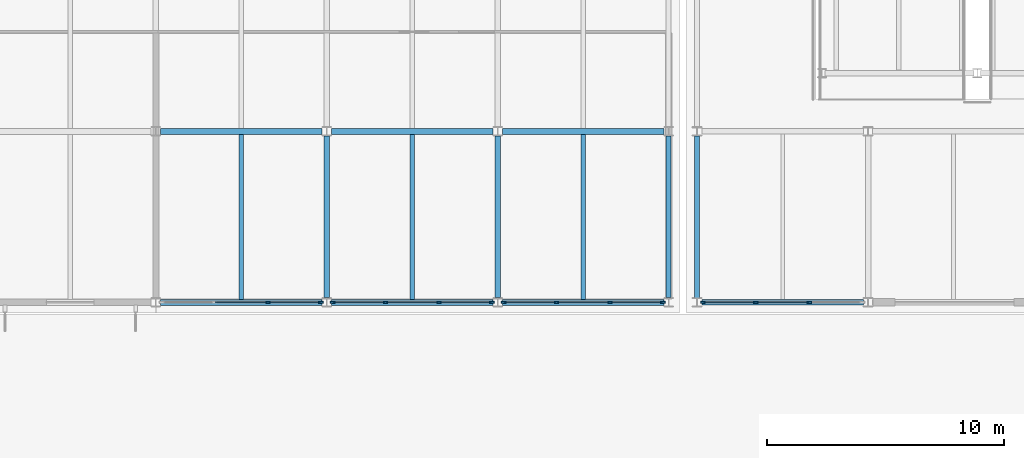
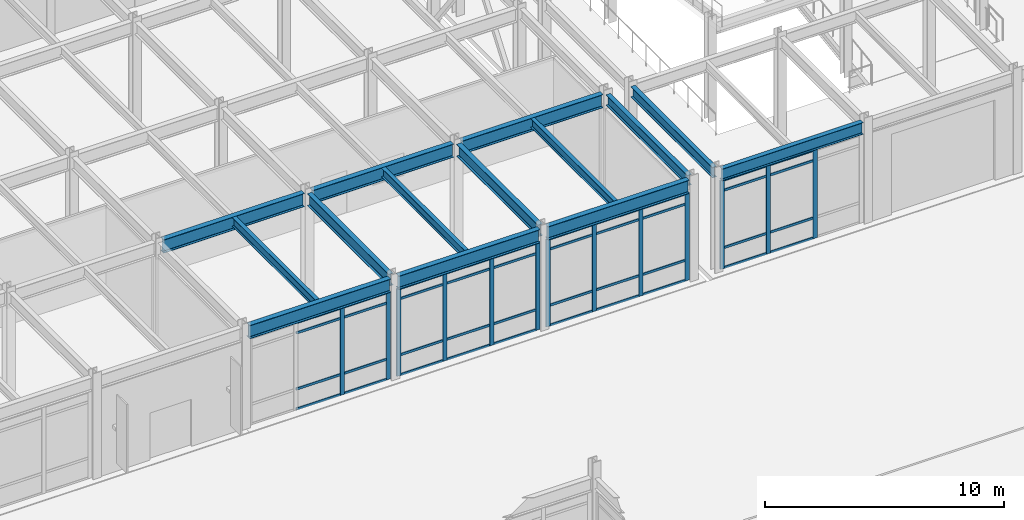
# One storey, part 35 of 104: 53 members, 14 beams, 4 elements without a shape of their own.
"""IFC4 building model written with IfcOpenShell, lengths in metres."""

import ifcopenshell
import ifcopenshell.guid

model = None  # the IFC model being written
_history = None  # IfcOwnerHistory: only IFC2X3 demands one
_inside = {}  # id of a spatial element -> (the spatial element, [elements in it])
_under = {}  # id of a project, library or spatial element -> (it, [spatial elements below it])
_declared = {}  # id of a project -> (the project, [libraries it declares])
_typed = {}  # id of a type object -> (the type object, [elements of that type])
_made_of = {}  # id of a material, layer set ... -> (it, [elements and type objects made of it])


def new_model(schema):
    """Start an empty IFC model of exactly this schema.

    Asked for "IFC4X3", IfcOpenShell would pick the latest addendum, in which some entities
    have other attributes; the version numbers below select the first issue.
    IFC2X3 requires an IfcOwnerHistory on every rooted entity: one is made here for all.
    """
    global model, _history
    if schema == "IFC4X3":
        model = ifcopenshell.file(schema_version=(4, 3, 0, 0))
    else:
        model = ifcopenshell.file(schema=schema)
    _inside.clear()
    _under.clear()
    _declared.clear()
    _typed.clear()
    _made_of.clear()
    _history = None
    if model.schema == "IFC2X3":
        org = make("IfcOrganization", Name="unknown")
        user = make(
            "IfcPersonAndOrganization",
            ThePerson=make("IfcPerson", FamilyName="unknown"),
            TheOrganization=org,
        )
        app = make(
            "IfcApplication",
            ApplicationDeveloper=org,
            Version="unknown",
            ApplicationFullName="unknown",
            ApplicationIdentifier="unknown",
        )
        _history = make(
            "IfcOwnerHistory",
            OwningUser=user,
            OwningApplication=app,
            ChangeAction="ADDED",
            CreationDate=0,
        )
    return model


def make(cls, **values):
    """One entity of the class cls with the attributes given. An attribute that is None is left unset."""
    return model.create_entity(
        cls, **{name: value for name, value in values.items() if value is not None}
    )


def rooted(cls, **values):
    """An entity with a GlobalId (a new one), such as an element, a storey or a relation."""
    return make(cls, GlobalId=ifcopenshell.guid.new(), OwnerHistory=_history, **values)


def si_unit(unit_type, name, prefix=None):
    """IfcSIUnit, for example si_unit("LENGTHUNIT", "METRE", prefix="MILLI")."""
    return make("IfcSIUnit", UnitType=unit_type, Prefix=prefix, Name=name)


def assignment(units):
    """IfcUnitAssignment: the units of a project."""
    return None if units is None else make("IfcUnitAssignment", Units=units)


def point(xyz):
    """IfcCartesianPoint."""
    return None if xyz is None else make("IfcCartesianPoint", Coordinates=xyz)


def direction(xyz):
    """IfcDirection."""
    return None if xyz is None else make("IfcDirection", DirectionRatios=xyz)


def frame(location, z_axis=None, x_axis=None):
    """IfcAxis2Placement3D, a coordinate frame: its origin and axes. An axis left out is left unset."""
    return make(
        "IfcAxis2Placement3D",
        Location=point(location),
        Axis=direction(z_axis),
        RefDirection=direction(x_axis),
    )


def frame_2d(location, x_axis=None):
    """IfcAxis2Placement2D, a coordinate frame in the plane: its origin and x axis."""
    return make(
        "IfcAxis2Placement2D", Location=point(location), RefDirection=direction(x_axis)
    )


def origin():
    """The frame at (0, 0, 0) with its axes left unset."""
    return frame((0.0, 0.0, 0.0))


def origin_2d():
    """The frame at (0, 0) in the plane with its x axis left unset."""
    return frame_2d((0.0, 0.0))


def place(relative_to, where):
    """IfcLocalPlacement: puts the frame where relative to a parent placement (None: the world)."""
    return make(
        "IfcLocalPlacement", PlacementRelTo=relative_to, RelativePlacement=where
    )


def context(
    kind, dimensions, precision=None, world=None, true_north=None, identifier=None
):
    """IfcGeometricRepresentationContext, for example the 3D "Model" context."""
    return make(
        "IfcGeometricRepresentationContext",
        ContextIdentifier=identifier,
        ContextType=kind,
        CoordinateSpaceDimension=dimensions,
        Precision=precision,
        WorldCoordinateSystem=world,
        TrueNorth=true_north,
    )


def subcontext(parent, identifier, kind, view, scale=None):
    """IfcGeometricRepresentationSubContext, for example "Body" below "Model"."""
    return make(
        "IfcGeometricRepresentationSubContext",
        ContextIdentifier=identifier,
        ContextType=kind,
        ParentContext=parent,
        TargetScale=scale,
        TargetView=view,
    )


def project(units=None, contexts=None):
    """IfcProject with its units and contexts."""
    return rooted(
        "IfcProject",
        Name="project",
        RepresentationContexts=contexts,
        UnitsInContext=assignment(units),
    )


def spatial(cls, under=None, at=None, **own):
    """A site, building, storey or space (cls), placed at a placement, below another one or the project."""
    s = rooted(cls, ObjectPlacement=at, **own)
    if under is not None:
        _under.setdefault(under.id(), (under, []))[1].append(s)
    return s


def profile(cls, at=None, kind="AREA", **sizes):
    """A parametric profile (cls). Its sizes go by their IFC names, for example OverallWidth=200.0."""
    return make(cls, ProfileType=kind, Position=at, **sizes)


def rectangle(**sizes):
    """IfcRectangleProfileDef."""
    return profile("IfcRectangleProfileDef", **sizes)


def i_section(**sizes):
    """IfcIShapeProfileDef."""
    return profile("IfcIShapeProfileDef", **sizes)


def extrude(swept, where, along, depth):
    """IfcExtrudedAreaSolid: the profile swept, set in the frame where, extruded along a direction by depth."""
    return make(
        "IfcExtrudedAreaSolid",
        SweptArea=swept,
        Position=where,
        ExtrudedDirection=direction(along),
        Depth=depth,
    )


def shape(context_of_items, identifier, shape_type, items):
    """IfcShapeRepresentation: the items that make up one representation, for example the "Body"."""
    return make(
        "IfcShapeRepresentation",
        ContextOfItems=context_of_items,
        RepresentationIdentifier=identifier,
        RepresentationType=shape_type,
        Items=items,
    )


def material(Name=None, Category=None):
    """IfcMaterial."""
    return make("IfcMaterial", Name=Name, Category=Category)


def material_profile(
    of_material, cross_section, Name=None, Category=None, Priority=None
):
    """IfcMaterialProfile: a cross section and its material."""
    return make(
        "IfcMaterialProfile",
        Name=Name,
        Material=of_material,
        Profile=cross_section,
        Priority=Priority,
        Category=Category,
    )


def profile_set(profiles, Name=None, composite=None):
    """IfcMaterialProfileSet."""
    return make(
        "IfcMaterialProfileSet",
        Name=Name,
        MaterialProfiles=profiles,
        CompositeProfile=composite,
    )


def made_of(thing, what):
    """Note that an element or type object is made of a material, layer set ...; save() writes the relation."""
    if what is not None:
        _made_of.setdefault(what.id(), (what, []))[1].append(thing)
    return thing


def type_object(cls, material=None, **own):
    """A type object (cls), such as IfcWallType, which elements share."""
    return made_of(rooted(cls, **own), material)


def element(
    cls,
    number,
    at=None,
    inside=None,
    cuts=None,
    type_object=None,
    material=None,
    context=None,
    identifier="Body",
    shape_type=None,
    held_by="IfcProductDefinitionShape",
    body=None,
    shapes=None,
    **own,
):
    """One element of the class cls, such as IfcWall. Its Tag is "e" and its number.

    at: its placement. inside: the storey or other place that contains it. cuts: it is an
    opening in that element (IfcRelVoidsElement). A single representation is given by context,
    identifier, shape_type and body (its items); several are given by shapes. held_by: the class
    of the entity that holds the representations. save() writes the other relations.
    """
    e = rooted(cls, Tag="e%d" % number, ObjectPlacement=at, **own)
    if body is not None:
        shapes = [shape(context, identifier, shape_type, body)]
    if shapes is not None:
        e.Representation = make(held_by, Representations=shapes)
    if inside is not None:
        _inside.setdefault(inside.id(), (inside, []))[1].append(e)
    if cuts is not None:
        rooted(
            "IfcRelVoidsElement", RelatingBuildingElement=cuts, RelatedOpeningElement=e
        )
    if type_object is not None:
        _typed.setdefault(type_object.id(), (type_object, []))[1].append(e)
    return made_of(e, material)


def aggregate(whole, parts):
    """IfcRelAggregates: a whole, such as a stair, and the parts it consists of."""
    return rooted("IfcRelAggregates", RelatingObject=whole, RelatedObjects=parts)


def save(model, path):
    """Write the relations noted so far, then the file.

    IfcRelAggregates (storeys below a building ...), IfcRelContainedInSpatialStructure (elements
    in a storey), IfcRelDefinesByType, IfcRelAssociatesMaterial and IfcRelDeclares: one each for
    every whole, place, type object, material and project.
    """
    for whole, parts in _under.values():
        aggregate(whole, parts)
    for where, things in _inside.values():
        rooted(
            "IfcRelContainedInSpatialStructure",
            RelatedElements=things,
            RelatingStructure=where,
        )
    for kind, things in _typed.values():
        rooted("IfcRelDefinesByType", RelatedObjects=things, RelatingType=kind)
    for what, things in _made_of.values():
        rooted("IfcRelAssociatesMaterial", RelatedObjects=things, RelatingMaterial=what)
    for by, libraries in _declared.values():
        rooted("IfcRelDeclares", RelatingContext=by, RelatedDefinitions=libraries)
    model.write(path)


model = new_model("IFC4")

# Units and contexts
model_context = context("Model", 3, precision=1e-05, world=origin(), true_north=direction((0.0, 1.0)))
body_context = subcontext(model_context, "Body", "Model", "MODEL_VIEW")
ifc_project = project(units=[si_unit("LENGTHUNIT", "METRE"), si_unit("AREAUNIT", "SQUARE_METRE"), si_unit("VOLUMEUNIT", "CUBIC_METRE"), si_unit("PLANEANGLEUNIT", "RADIAN"), si_unit("MASSUNIT", "GRAM", prefix="KILO")], contexts=[model_context])

# Site, building, storey
site_placement = place(None, origin())
site = spatial("IfcSite", under=ifc_project, at=site_placement, CompositionType="ELEMENT")
building_placement = place(site_placement, origin())
building = spatial("IfcBuilding", under=site, at=building_placement, Name="Vaelcorin Mobility Hub", CompositionType="ELEMENT")
storey_placement = place(building_placement, origin())
storey = spatial("IfcBuildingStorey", under=building, at=storey_placement, Name="L00", CompositionType="ELEMENT", Elevation=0.0)

# Beams
ifc_material_1 = material(Name="Steel ASTM A992 Grade 50", Category="steel")
ifc_material_profile_1 = material_profile(ifc_material_1, i_section(OverallWidth=0.19091796875, OverallDepth=0.4599609375, WebThickness=0.010009765625, FlangeThickness=0.01611328125, FilletRadius=0.012939453125, at=origin_2d()), Name="W18X55")
ifc_profile_set_1 = profile_set([ifc_material_profile_1], Name="Steel ASTM A992 Grade 50")
beam_type_1 = type_object("IfcBeamType", Name="BM-W18X55", PredefinedType="JOIST", material=ifc_profile_set_1)
for number, where, z_axis, x_axis, name in (
    (1, (104.39990234375, 76.925048828125, 4.929931640625), (0.0, 1.0, 0.0), (-1.0, 0.0, 0.0), "L00 Beam V4-L00-J-10-01-1"),
    (2, (111.60009765625, 76.925048828125, 4.929931640625), (0.0, 1.0, 0.0), (-1.0, 0.0, 0.0), "L00 Beam V4-L00-J-11-01-1"),
    (3, (118.800048828125, 76.925048828125, 4.929931640625), (0.0, 1.0, 0.0), (-1.0, 0.0, 0.0), "L00 Beam V4-L00-J-12-01-1"),
):
    element("IfcBeam", number, at=place(storey_placement, frame(where, z_axis=z_axis, x_axis=x_axis)), inside=storey, type_object=beam_type_1, Name=name, PredefinedType="JOIST", context=body_context, shape_type="SweptSolid", body=[
        extrude(i_section(OverallWidth=0.19091796875, OverallDepth=0.4599609375, WebThickness=0.010009765625, FlangeThickness=0.01611328125, FilletRadius=0.012939453125, at=origin_2d()), origin(), (0.0, 0.0, 1.0), 6.949951171875),
    ])
ifc_material_profile_2 = material_profile(ifc_material_1, i_section(OverallWidth=0.2099609375, OverallDepth=0.535888671875, WebThickness=0.010986328125, FlangeThickness=0.017333984375, FilletRadius=0.013916015625, at=origin_2d()), Name="W21X68")
ifc_profile_set_2 = profile_set([ifc_material_profile_2], Name="Steel ASTM A992 Grade 50")
beam_type_2 = type_object("IfcBeamType", Name="BM-W21X68", PredefinedType="SPANDREL", material=ifc_profile_set_2)
beam_1_placement = place(storey_placement, frame((122.39990234375, 76.9951171875, 4.89208984375), z_axis=(0.0, 1.0, 0.0), x_axis=(-1.0, 0.0, 0.0)))
element("IfcBeam", 4, at=beam_1_placement, inside=storey, type_object=beam_type_2, Name="L00 Beam V4-L00-GY-13-01", PredefinedType="SPANDREL", context=body_context, shape_type="SweptSolid", body=[
    extrude(i_section(OverallWidth=0.2099609375, OverallDepth=0.535888671875, WebThickness=0.010986328125, FlangeThickness=0.017333984375, FilletRadius=0.013916015625, at=origin_2d()), origin(), (0.0, 0.0, 1.0), 6.803955078125),
])
beam_2_placement = place(storey_placement, frame((123.60009765625, 76.988037109375, 4.882080078125), z_axis=(0.0, 1.0, 0.0), x_axis=(-1.0, 0.0, 0.0)))
element("IfcBeam", 5, at=beam_2_placement, inside=storey, type_object=beam_type_2, Name="L00 Beam V2E-L00-GY-01-01", PredefinedType="SPANDREL", context=body_context, shape_type="SweptSolid", body=[
    extrude(i_section(OverallWidth=0.2099609375, OverallDepth=0.535888671875, WebThickness=0.010986328125, FlangeThickness=0.017333984375, FilletRadius=0.013916015625, at=origin_2d()), origin(), (0.0, 0.0, 1.0), 6.823974609375),
])
ifc_material_profile_3 = material_profile(ifc_material_1, i_section(OverallWidth=0.22802734375, OverallDepth=0.60205078125, WebThickness=0.010498046875, FlangeThickness=0.014892578125, FilletRadius=0.014892578125, at=origin_2d()), Name="W24X68")
ifc_profile_set_3 = profile_set([ifc_material_profile_3], Name="Steel ASTM A992 Grade 50")
beam_type_3 = type_object("IfcBeamType", Name="BM-W24X68", PredefinedType="SPANDREL", material=ifc_profile_set_3)
beam_3_placement = place(storey_placement, frame((123.7958984375, 76.800048828125, 4.84912109375), z_axis=(1.0, 0.0, 0.0), x_axis=(0.0, 1.0, 0.0)))
element("IfcBeam", 6, at=beam_3_placement, inside=storey, type_object=beam_type_3, Name="L00 Beam V2E-L00-GX-01-01", PredefinedType="SPANDREL", context=body_context, shape_type="SweptSolid", body=[
    extrude(i_section(OverallWidth=0.22802734375, OverallDepth=0.60205078125, WebThickness=0.010498046875, FlangeThickness=0.014892578125, FilletRadius=0.014892578125, at=origin_2d()), origin(), (0.0, 0.0, 1.0), 6.80810546875),
])
ifc_material_profile_4 = material_profile(ifc_material_1, i_section(OverallWidth=0.22900390625, OverallDepth=0.612060546875, WebThickness=0.011962890625, FlangeThickness=0.01953125, FilletRadius=0.014892578125, at=origin_2d()), Name="W24X84")
ifc_profile_set_4 = profile_set([ifc_material_profile_4], Name="Steel ASTM A992 Grade 50")
beam_type_4 = type_object("IfcBeamType", Name="BM-W24X84", PredefinedType="BEAM", material=ifc_profile_set_4)
for number, where, z_axis, x_axis, name in (
    (7, (108.0, 76.9951171875, 4.85400390625), (0.0, 1.0, 0.0), (-1.0, 0.0, 0.0), "L00 Beam V4-L00-GY-11-01"),
    (8, (115.199951171875, 76.9951171875, 4.85400390625), (0.0, 1.0, 0.0), (-1.0, 0.0, 0.0), "L00 Beam V4-L00-GY-12-01"),
):
    element("IfcBeam", number, at=place(storey_placement, frame(where, z_axis=z_axis, x_axis=x_axis)), inside=storey, type_object=beam_type_4, Name=name, PredefinedType="BEAM", context=body_context, shape_type="SweptSolid", body=[
        extrude(i_section(OverallWidth=0.22900390625, OverallDepth=0.612060546875, WebThickness=0.011962890625, FlangeThickness=0.01953125, FilletRadius=0.014892578125, at=origin_2d()), origin(), (0.0, 0.0, 1.0), 6.803955078125),
    ])
ifc_material_profile_5 = material_profile(ifc_material_1, i_section(OverallWidth=0.25390625, OverallDepth=0.68310546875, WebThickness=0.012451171875, FlangeThickness=0.018798828125, FilletRadius=0.01611328125, at=origin_2d()), Name="W27X94")
ifc_profile_set_5 = profile_set([ifc_material_profile_5], Name="Steel ASTM A992 Grade 50")
beam_type_5 = type_object("IfcBeamType", Name="BM-W27X94", PredefinedType="BEAM", material=ifc_profile_set_5)
for number, where, z_axis, x_axis, name in (
    (9, (100.998046875, 76.800048828125, 4.818115234375), (1.0, 0.0, 0.0), (0.0, 1.0, 0.0), "L00 Beam V4-L00-GX-01-10"),
    (10, (108.197998046875, 76.800048828125, 4.818115234375), (1.0, 0.0, 0.0), (0.0, 1.0, 0.0), "L00 Beam V4-L00-GX-01-11"),
    (11, (115.39794921875, 76.800048828125, 4.818115234375), (1.0, 0.0, 0.0), (0.0, 1.0, 0.0), "L00 Beam V4-L00-GX-01-12"),
):
    element("IfcBeam", number, at=place(storey_placement, frame(where, z_axis=z_axis, x_axis=x_axis)), inside=storey, type_object=beam_type_5, Name=name, PredefinedType="BEAM", context=body_context, shape_type="SweptSolid", body=[
        extrude(i_section(OverallWidth=0.25390625, OverallDepth=0.68310546875, WebThickness=0.012451171875, FlangeThickness=0.018798828125, FilletRadius=0.01611328125, at=origin_2d()), origin(), (0.0, 0.0, 1.0), 6.803955078125),
    ])
for number, where, z_axis, x_axis, name in (
    (12, (101.0, 84.0, 4.818115234375), (1.0, 0.0, 0.0), (0.0, 1.0, 0.0), "L00 Beam V4-L00-GX-02-10"),
    (13, (108.199951171875, 84.0, 4.818115234375), (1.0, 0.0, 0.0), (0.0, 1.0, 0.0), "L00 Beam V4-L00-GX-02-11"),
    (14, (115.39990234375, 84.0, 4.818115234375), (1.0, 0.0, 0.0), (0.0, 1.0, 0.0), "L00 Beam V4-L00-GX-02-12"),
):
    element("IfcBeam", number, at=place(storey_placement, frame(where, z_axis=z_axis, x_axis=x_axis)), inside=storey, type_object=beam_type_5, Name=name, PredefinedType="BEAM", context=body_context, shape_type="SweptSolid", body=[
        extrude(i_section(OverallWidth=0.25390625, OverallDepth=0.68310546875, WebThickness=0.012451171875, FlangeThickness=0.018798828125, FilletRadius=0.01611328125, at=origin_2d()), origin(), (0.0, 0.0, 1.0), 6.800048828125),
    ])

# Curtain wall, members
ifc_material_2 = material(Name="Anodised aluminium 6063-T6", Category="aluminium")
curtain_wall_type = type_object("IfcCurtainWallType", Name="CW-MSC-A", PredefinedType="NOTDEFINED", material=ifc_material_2)
curtain_wall_1_placement = place(storey_placement, origin())
curtain_wall_1 = element("IfcCurtainWall", 15, at=curtain_wall_1_placement, inside=storey, type_object=curtain_wall_type, Name="L00 Curtain Wall CW-V4-L00-S-10", PredefinedType="NOTDEFINED")
ifc_material_profile_6 = material_profile(ifc_material_2, rectangle(XDim=0.070068359375, YDim=0.199951171875, at=origin_2d()), Name="ALU-M70X200")
ifc_profile_set_6 = profile_set([ifc_material_profile_6], Name="Anodised aluminium 6063-T6")
member_type_1 = type_object("IfcMemberType", Name="CW-MULL-200", PredefinedType="MULLION", material=ifc_profile_set_6)
member_1_placement = place(storey_placement, frame((107.75, 76.800048828125, 0.0), z_axis=(0.0, 0.0, 1.0), x_axis=(0.0, -1.0, 0.0)))
member_1 = element("IfcMember", 16, at=member_1_placement, type_object=member_type_1, Name="CW3 mullion 1", PredefinedType="MULLION", context=body_context, shape_type="SweptSolid", body=[
    extrude(rectangle(XDim=0.070068359375, YDim=0.199951171875, at=origin_2d()), origin(), (0.0, 0.0, 1.0), 4.4619140625),
])
member_2_placement = place(storey_placement, frame((105.526611328125, 76.800048828125, 0.0), z_axis=(0.0, 0.0, 1.0), x_axis=(0.0, -1.0, 0.0)))
member_2 = element("IfcMember", 17, at=member_2_placement, type_object=member_type_1, Name="CW3 mullion 2", PredefinedType="MULLION", context=body_context, shape_type="SweptSolid", body=[
    extrude(rectangle(XDim=0.070068359375, YDim=0.199951171875, at=origin_2d()), origin(), (0.0, 0.0, 1.0), 4.4619140625),
])

curtain_wall_2_placement = place(storey_placement, origin())
curtain_wall_2 = element("IfcCurtainWall", 18, at=curtain_wall_2_placement, inside=storey, type_object=curtain_wall_type, Name="L00 Curtain Wall CW-V4-L00-S-11", PredefinedType="NOTDEFINED")
member_3_placement = place(storey_placement, frame((114.949951171875, 76.800048828125, 0.0), z_axis=(0.0, 0.0, 1.0), x_axis=(0.0, -1.0, 0.0)))
member_3 = element("IfcMember", 19, at=member_3_placement, type_object=member_type_1, Name="CW3 mullion 1", PredefinedType="MULLION", context=body_context, shape_type="SweptSolid", body=[
    extrude(rectangle(XDim=0.070068359375, YDim=0.199951171875, at=origin_2d()), origin(), (0.0, 0.0, 1.0), 4.4619140625),
])
member_4_placement = place(storey_placement, frame((112.7265625, 76.800048828125, 0.0), z_axis=(0.0, 0.0, 1.0), x_axis=(0.0, -1.0, 0.0)))
member_4 = element("IfcMember", 20, at=member_4_placement, type_object=member_type_1, Name="CW3 mullion 2", PredefinedType="MULLION", context=body_context, shape_type="SweptSolid", body=[
    extrude(rectangle(XDim=0.070068359375, YDim=0.199951171875, at=origin_2d()), origin(), (0.0, 0.0, 1.0), 4.4619140625),
])
member_5_placement = place(storey_placement, frame((110.473388671875, 76.800048828125, 0.0), z_axis=(0.0, 0.0, 1.0), x_axis=(0.0, -1.0, 0.0)))
member_5 = element("IfcMember", 21, at=member_5_placement, type_object=member_type_1, Name="CW3 mullion 3", PredefinedType="MULLION", context=body_context, shape_type="SweptSolid", body=[
    extrude(rectangle(XDim=0.070068359375, YDim=0.199951171875, at=origin_2d()), origin(), (0.0, 0.0, 1.0), 4.4619140625),
])
member_6_placement = place(storey_placement, frame((108.25, 76.800048828125, 0.0), z_axis=(0.0, 0.0, 1.0), x_axis=(0.0, -1.0, 0.0)))
member_6 = element("IfcMember", 22, at=member_6_placement, type_object=member_type_1, Name="CW3 mullion 4", PredefinedType="MULLION", context=body_context, shape_type="SweptSolid", body=[
    extrude(rectangle(XDim=0.070068359375, YDim=0.199951171875, at=origin_2d()), origin(), (0.0, 0.0, 1.0), 4.4619140625),
])

curtain_wall_3_placement = place(storey_placement, origin())
curtain_wall_3 = element("IfcCurtainWall", 23, at=curtain_wall_3_placement, inside=storey, type_object=curtain_wall_type, Name="L00 Curtain Wall CW-V4-L00-S-12", PredefinedType="NOTDEFINED")
member_7_placement = place(storey_placement, frame((122.14990234375, 76.800048828125, 0.0), z_axis=(0.0, 0.0, 1.0), x_axis=(0.0, -1.0, 0.0)))
member_7 = element("IfcMember", 24, at=member_7_placement, type_object=member_type_1, Name="CW3 mullion 1", PredefinedType="MULLION", context=body_context, shape_type="SweptSolid", body=[
    extrude(rectangle(XDim=0.070068359375, YDim=0.199951171875, at=origin_2d()), origin(), (0.0, 0.0, 1.0), 4.4619140625),
])
member_8_placement = place(storey_placement, frame((119.9267578125, 76.800048828125, 0.0), z_axis=(0.0, 0.0, 1.0), x_axis=(0.0, -1.0, 0.0)))
member_8 = element("IfcMember", 25, at=member_8_placement, type_object=member_type_1, Name="CW3 mullion 2", PredefinedType="MULLION", context=body_context, shape_type="SweptSolid", body=[
    extrude(rectangle(XDim=0.070068359375, YDim=0.199951171875, at=origin_2d()), origin(), (0.0, 0.0, 1.0), 4.4619140625),
])
member_9_placement = place(storey_placement, frame((117.67333984375, 76.800048828125, 0.0), z_axis=(0.0, 0.0, 1.0), x_axis=(0.0, -1.0, 0.0)))
member_9 = element("IfcMember", 26, at=member_9_placement, type_object=member_type_1, Name="CW3 mullion 3", PredefinedType="MULLION", context=body_context, shape_type="SweptSolid", body=[
    extrude(rectangle(XDim=0.070068359375, YDim=0.199951171875, at=origin_2d()), origin(), (0.0, 0.0, 1.0), 4.4619140625),
])
member_10_placement = place(storey_placement, frame((115.449951171875, 76.800048828125, 0.0), z_axis=(0.0, 0.0, 1.0), x_axis=(0.0, -1.0, 0.0)))
member_10 = element("IfcMember", 27, at=member_10_placement, type_object=member_type_1, Name="CW3 mullion 4", PredefinedType="MULLION", context=body_context, shape_type="SweptSolid", body=[
    extrude(rectangle(XDim=0.070068359375, YDim=0.199951171875, at=origin_2d()), origin(), (0.0, 0.0, 1.0), 4.4619140625),
])

curtain_wall_4_placement = place(storey_placement, origin())
curtain_wall_4 = element("IfcCurtainWall", 28, at=curtain_wall_4_placement, inside=storey, type_object=curtain_wall_type, Name="L00 Curtain Wall CW-V2E-L00-S-01", PredefinedType="NOTDEFINED")
member_11_placement = place(storey_placement, frame((128.32666015625, 76.800048828125, 0.0), z_axis=(0.0, 0.0, 1.0), x_axis=(0.0, -1.0, 0.0)))
member_11 = element("IfcMember", 29, at=member_11_placement, type_object=member_type_1, Name="CW3 mullion 2", PredefinedType="MULLION", context=body_context, shape_type="SweptSolid", body=[
    extrude(rectangle(XDim=0.070068359375, YDim=0.199951171875, at=origin_2d()), origin(), (0.0, 0.0, 1.0), 4.52294921875),
])
member_12_placement = place(storey_placement, frame((126.0732421875, 76.800048828125, 0.0), z_axis=(0.0, 0.0, 1.0), x_axis=(0.0, -1.0, 0.0)))
member_12 = element("IfcMember", 30, at=member_12_placement, type_object=member_type_1, Name="CW3 mullion 3", PredefinedType="MULLION", context=body_context, shape_type="SweptSolid", body=[
    extrude(rectangle(XDim=0.070068359375, YDim=0.199951171875, at=origin_2d()), origin(), (0.0, 0.0, 1.0), 4.52294921875),
])
member_13_placement = place(storey_placement, frame((123.85009765625, 76.800048828125, 0.0), z_axis=(0.0, 0.0, 1.0), x_axis=(0.0, -1.0, 0.0)))
member_13 = element("IfcMember", 31, at=member_13_placement, type_object=member_type_1, Name="CW3 mullion 4", PredefinedType="MULLION", context=body_context, shape_type="SweptSolid", body=[
    extrude(rectangle(XDim=0.070068359375, YDim=0.199951171875, at=origin_2d()), origin(), (0.0, 0.0, 1.0), 4.52294921875),
])

# Member
ifc_material_profile_7 = material_profile(ifc_material_2, rectangle(XDim=0.06005859375, YDim=0.1201171875, at=origin_2d()), Name="ALU-T60X120")
ifc_profile_set_7 = profile_set([ifc_material_profile_7], Name="Anodised aluminium 6063-T6")
member_type_2 = type_object("IfcMemberType", Name="CW-TRAN-140", PredefinedType="USERDEFINED", material=ifc_profile_set_7)
member_14_placement = place(storey_placement, frame((107.719970703125, 76.800048828125, 0.030029296875), z_axis=(-1.0, 0.0, 0.0), x_axis=(0.0, -1.0, 0.0)))
member_14 = element("IfcMember", 32, at=member_14_placement, type_object=member_type_2, Name="CW3 transom 1.1", ObjectType="TRANSOM", PredefinedType="USERDEFINED", context=body_context, shape_type="SweptSolid", body=[
    extrude(rectangle(XDim=0.06005859375, YDim=0.1201171875, at=origin_2d()), origin(), (0.0, 0.0, 1.0), 2.163330078125),
])

member_15_placement = place(storey_placement, frame((107.719970703125, 76.800048828125, 1.050048828125), z_axis=(-1.0, 0.0, 0.0), x_axis=(0.0, -1.0, 0.0)))
member_15 = element("IfcMember", 33, at=member_15_placement, type_object=member_type_2, Name="CW3 transom 1.2", ObjectType="TRANSOM", PredefinedType="USERDEFINED", context=body_context, shape_type="SweptSolid", body=[
    extrude(rectangle(XDim=0.06005859375, YDim=0.1201171875, at=origin_2d()), origin(), (0.0, 0.0, 1.0), 2.163330078125),
])

member_16_placement = place(storey_placement, frame((107.719970703125, 76.800048828125, 3.912109375), z_axis=(-1.0, 0.0, 0.0), x_axis=(0.0, -1.0, 0.0)))
member_16 = element("IfcMember", 34, at=member_16_placement, type_object=member_type_2, Name="CW3 transom 1.3", ObjectType="TRANSOM", PredefinedType="USERDEFINED", context=body_context, shape_type="SweptSolid", body=[
    extrude(rectangle(XDim=0.06005859375, YDim=0.1201171875, at=origin_2d()), origin(), (0.0, 0.0, 1.0), 2.163330078125),
])

member_17_placement = place(storey_placement, frame((107.719970703125, 76.800048828125, 4.431884765625), z_axis=(-1.0, 0.0, 0.0), x_axis=(0.0, -1.0, 0.0)))
member_17 = element("IfcMember", 35, at=member_17_placement, type_object=member_type_2, Name="CW3 transom 1.4", ObjectType="TRANSOM", PredefinedType="USERDEFINED", context=body_context, shape_type="SweptSolid", body=[
    extrude(rectangle(XDim=0.06005859375, YDim=0.1201171875, at=origin_2d()), origin(), (0.0, 0.0, 1.0), 2.163330078125),
])

member_18_placement = place(storey_placement, frame((105.49658203125, 76.800048828125, 0.030029296875), z_axis=(-1.0, 0.0, 0.0), x_axis=(0.0, -1.0, 0.0)))
member_18 = element("IfcMember", 36, at=member_18_placement, type_object=member_type_2, Name="CW3 transom 2.1", ObjectType="TRANSOM", PredefinedType="USERDEFINED", context=body_context, shape_type="SweptSolid", body=[
    extrude(rectangle(XDim=0.06005859375, YDim=0.1201171875, at=origin_2d()), origin(), (0.0, 0.0, 1.0), 2.193359375),
])

member_19_placement = place(storey_placement, frame((105.49658203125, 76.800048828125, 1.050048828125), z_axis=(-1.0, 0.0, 0.0), x_axis=(0.0, -1.0, 0.0)))
member_19 = element("IfcMember", 37, at=member_19_placement, type_object=member_type_2, Name="CW3 transom 2.2", ObjectType="TRANSOM", PredefinedType="USERDEFINED", context=body_context, shape_type="SweptSolid", body=[
    extrude(rectangle(XDim=0.06005859375, YDim=0.1201171875, at=origin_2d()), origin(), (0.0, 0.0, 1.0), 2.193359375),
])

member_20_placement = place(storey_placement, frame((105.49658203125, 76.800048828125, 3.912109375), z_axis=(-1.0, 0.0, 0.0), x_axis=(0.0, -1.0, 0.0)))
member_20 = element("IfcMember", 38, at=member_20_placement, type_object=member_type_2, Name="CW3 transom 2.3", ObjectType="TRANSOM", PredefinedType="USERDEFINED", context=body_context, shape_type="SweptSolid", body=[
    extrude(rectangle(XDim=0.06005859375, YDim=0.1201171875, at=origin_2d()), origin(), (0.0, 0.0, 1.0), 2.193359375),
])

member_21_placement = place(storey_placement, frame((105.49658203125, 76.800048828125, 4.431884765625), z_axis=(-1.0, 0.0, 0.0), x_axis=(0.0, -1.0, 0.0)))
member_21 = element("IfcMember", 39, at=member_21_placement, type_object=member_type_2, Name="CW3 transom 2.4", ObjectType="TRANSOM", PredefinedType="USERDEFINED", context=body_context, shape_type="SweptSolid", body=[
    extrude(rectangle(XDim=0.06005859375, YDim=0.1201171875, at=origin_2d()), origin(), (0.0, 0.0, 1.0), 2.193359375),
])

aggregate(curtain_wall_1, [member_1, member_2, member_14, member_15, member_16, member_17, member_18, member_19, member_20, member_21])

member_22_placement = place(storey_placement, frame((114.919921875, 76.800048828125, 0.030029296875), z_axis=(-1.0, 0.0, 0.0), x_axis=(0.0, -1.0, 0.0)))
member_22 = element("IfcMember", 40, at=member_22_placement, type_object=member_type_2, Name="CW3 transom 1.1", ObjectType="TRANSOM", PredefinedType="USERDEFINED", context=body_context, shape_type="SweptSolid", body=[
    extrude(rectangle(XDim=0.06005859375, YDim=0.1201171875, at=origin_2d()), origin(), (0.0, 0.0, 1.0), 2.163330078125),
])

member_23_placement = place(storey_placement, frame((114.919921875, 76.800048828125, 1.050048828125), z_axis=(-1.0, 0.0, 0.0), x_axis=(0.0, -1.0, 0.0)))
member_23 = element("IfcMember", 41, at=member_23_placement, type_object=member_type_2, Name="CW3 transom 1.2", ObjectType="TRANSOM", PredefinedType="USERDEFINED", context=body_context, shape_type="SweptSolid", body=[
    extrude(rectangle(XDim=0.06005859375, YDim=0.1201171875, at=origin_2d()), origin(), (0.0, 0.0, 1.0), 2.163330078125),
])

member_24_placement = place(storey_placement, frame((114.919921875, 76.800048828125, 3.912109375), z_axis=(-1.0, 0.0, 0.0), x_axis=(0.0, -1.0, 0.0)))
member_24 = element("IfcMember", 42, at=member_24_placement, type_object=member_type_2, Name="CW3 transom 1.3", ObjectType="TRANSOM", PredefinedType="USERDEFINED", context=body_context, shape_type="SweptSolid", body=[
    extrude(rectangle(XDim=0.06005859375, YDim=0.1201171875, at=origin_2d()), origin(), (0.0, 0.0, 1.0), 2.163330078125),
])

member_25_placement = place(storey_placement, frame((114.919921875, 76.800048828125, 4.431884765625), z_axis=(-1.0, 0.0, 0.0), x_axis=(0.0, -1.0, 0.0)))
member_25 = element("IfcMember", 43, at=member_25_placement, type_object=member_type_2, Name="CW3 transom 1.4", ObjectType="TRANSOM", PredefinedType="USERDEFINED", context=body_context, shape_type="SweptSolid", body=[
    extrude(rectangle(XDim=0.06005859375, YDim=0.1201171875, at=origin_2d()), origin(), (0.0, 0.0, 1.0), 2.163330078125),
])

member_26_placement = place(storey_placement, frame((112.69677734375, 76.800048828125, 0.030029296875), z_axis=(-1.0, 0.0, 0.0), x_axis=(0.0, -1.0, 0.0)))
member_26 = element("IfcMember", 44, at=member_26_placement, type_object=member_type_2, Name="CW3 transom 2.1", ObjectType="TRANSOM", PredefinedType="USERDEFINED", context=body_context, shape_type="SweptSolid", body=[
    extrude(rectangle(XDim=0.06005859375, YDim=0.1201171875, at=origin_2d()), origin(), (0.0, 0.0, 1.0), 2.193359375),
])

member_27_placement = place(storey_placement, frame((112.69677734375, 76.800048828125, 1.050048828125), z_axis=(-1.0, 0.0, 0.0), x_axis=(0.0, -1.0, 0.0)))
member_27 = element("IfcMember", 45, at=member_27_placement, type_object=member_type_2, Name="CW3 transom 2.2", ObjectType="TRANSOM", PredefinedType="USERDEFINED", context=body_context, shape_type="SweptSolid", body=[
    extrude(rectangle(XDim=0.06005859375, YDim=0.1201171875, at=origin_2d()), origin(), (0.0, 0.0, 1.0), 2.193359375),
])

member_28_placement = place(storey_placement, frame((112.69677734375, 76.800048828125, 3.912109375), z_axis=(-1.0, 0.0, 0.0), x_axis=(0.0, -1.0, 0.0)))
member_28 = element("IfcMember", 46, at=member_28_placement, type_object=member_type_2, Name="CW3 transom 2.3", ObjectType="TRANSOM", PredefinedType="USERDEFINED", context=body_context, shape_type="SweptSolid", body=[
    extrude(rectangle(XDim=0.06005859375, YDim=0.1201171875, at=origin_2d()), origin(), (0.0, 0.0, 1.0), 2.193359375),
])

member_29_placement = place(storey_placement, frame((112.69677734375, 76.800048828125, 4.431884765625), z_axis=(-1.0, 0.0, 0.0), x_axis=(0.0, -1.0, 0.0)))
member_29 = element("IfcMember", 47, at=member_29_placement, type_object=member_type_2, Name="CW3 transom 2.4", ObjectType="TRANSOM", PredefinedType="USERDEFINED", context=body_context, shape_type="SweptSolid", body=[
    extrude(rectangle(XDim=0.06005859375, YDim=0.1201171875, at=origin_2d()), origin(), (0.0, 0.0, 1.0), 2.193359375),
])

member_30_placement = place(storey_placement, frame((110.443359375, 76.800048828125, 0.030029296875), z_axis=(-1.0, 0.0, 0.0), x_axis=(0.0, -1.0, 0.0)))
member_30 = element("IfcMember", 48, at=member_30_placement, type_object=member_type_2, Name="CW3 transom 3.1", ObjectType="TRANSOM", PredefinedType="USERDEFINED", context=body_context, shape_type="SweptSolid", body=[
    extrude(rectangle(XDim=0.06005859375, YDim=0.1201171875, at=origin_2d()), origin(), (0.0, 0.0, 1.0), 2.163330078125),
])

member_31_placement = place(storey_placement, frame((110.443359375, 76.800048828125, 1.050048828125), z_axis=(-1.0, 0.0, 0.0), x_axis=(0.0, -1.0, 0.0)))
member_31 = element("IfcMember", 49, at=member_31_placement, type_object=member_type_2, Name="CW3 transom 3.2", ObjectType="TRANSOM", PredefinedType="USERDEFINED", context=body_context, shape_type="SweptSolid", body=[
    extrude(rectangle(XDim=0.06005859375, YDim=0.1201171875, at=origin_2d()), origin(), (0.0, 0.0, 1.0), 2.163330078125),
])

member_32_placement = place(storey_placement, frame((110.443359375, 76.800048828125, 3.912109375), z_axis=(-1.0, 0.0, 0.0), x_axis=(0.0, -1.0, 0.0)))
member_32 = element("IfcMember", 50, at=member_32_placement, type_object=member_type_2, Name="CW3 transom 3.3", ObjectType="TRANSOM", PredefinedType="USERDEFINED", context=body_context, shape_type="SweptSolid", body=[
    extrude(rectangle(XDim=0.06005859375, YDim=0.1201171875, at=origin_2d()), origin(), (0.0, 0.0, 1.0), 2.163330078125),
])

member_33_placement = place(storey_placement, frame((110.443359375, 76.800048828125, 4.431884765625), z_axis=(-1.0, 0.0, 0.0), x_axis=(0.0, -1.0, 0.0)))
member_33 = element("IfcMember", 51, at=member_33_placement, type_object=member_type_2, Name="CW3 transom 3.4", ObjectType="TRANSOM", PredefinedType="USERDEFINED", context=body_context, shape_type="SweptSolid", body=[
    extrude(rectangle(XDim=0.06005859375, YDim=0.1201171875, at=origin_2d()), origin(), (0.0, 0.0, 1.0), 2.163330078125),
])

aggregate(curtain_wall_2, [member_3, member_4, member_5, member_6, member_22, member_23, member_24, member_25, member_26, member_27, member_28, member_29, member_30, member_31, member_32, member_33])

member_34_placement = place(storey_placement, frame((122.1201171875, 76.800048828125, 0.030029296875), z_axis=(-1.0, 0.0, 0.0), x_axis=(0.0, -1.0, 0.0)))
member_34 = element("IfcMember", 52, at=member_34_placement, type_object=member_type_2, Name="CW3 transom 1.1", ObjectType="TRANSOM", PredefinedType="USERDEFINED", context=body_context, shape_type="SweptSolid", body=[
    extrude(rectangle(XDim=0.06005859375, YDim=0.1201171875, at=origin_2d()), origin(), (0.0, 0.0, 1.0), 2.163330078125),
])

member_35_placement = place(storey_placement, frame((122.1201171875, 76.800048828125, 1.050048828125), z_axis=(-1.0, 0.0, 0.0), x_axis=(0.0, -1.0, 0.0)))
member_35 = element("IfcMember", 53, at=member_35_placement, type_object=member_type_2, Name="CW3 transom 1.2", ObjectType="TRANSOM", PredefinedType="USERDEFINED", context=body_context, shape_type="SweptSolid", body=[
    extrude(rectangle(XDim=0.06005859375, YDim=0.1201171875, at=origin_2d()), origin(), (0.0, 0.0, 1.0), 2.163330078125),
])

member_36_placement = place(storey_placement, frame((122.1201171875, 76.800048828125, 3.912109375), z_axis=(-1.0, 0.0, 0.0), x_axis=(0.0, -1.0, 0.0)))
member_36 = element("IfcMember", 54, at=member_36_placement, type_object=member_type_2, Name="CW3 transom 1.3", ObjectType="TRANSOM", PredefinedType="USERDEFINED", context=body_context, shape_type="SweptSolid", body=[
    extrude(rectangle(XDim=0.06005859375, YDim=0.1201171875, at=origin_2d()), origin(), (0.0, 0.0, 1.0), 2.163330078125),
])

member_37_placement = place(storey_placement, frame((122.1201171875, 76.800048828125, 4.431884765625), z_axis=(-1.0, 0.0, 0.0), x_axis=(0.0, -1.0, 0.0)))
member_37 = element("IfcMember", 55, at=member_37_placement, type_object=member_type_2, Name="CW3 transom 1.4", ObjectType="TRANSOM", PredefinedType="USERDEFINED", context=body_context, shape_type="SweptSolid", body=[
    extrude(rectangle(XDim=0.06005859375, YDim=0.1201171875, at=origin_2d()), origin(), (0.0, 0.0, 1.0), 2.163330078125),
])

member_38_placement = place(storey_placement, frame((119.896728515625, 76.800048828125, 0.030029296875), z_axis=(-1.0, 0.0, 0.0), x_axis=(0.0, -1.0, 0.0)))
member_38 = element("IfcMember", 56, at=member_38_placement, type_object=member_type_2, Name="CW3 transom 2.1", ObjectType="TRANSOM", PredefinedType="USERDEFINED", context=body_context, shape_type="SweptSolid", body=[
    extrude(rectangle(XDim=0.06005859375, YDim=0.1201171875, at=origin_2d()), origin(), (0.0, 0.0, 1.0), 2.193359375),
])

member_39_placement = place(storey_placement, frame((119.896728515625, 76.800048828125, 1.050048828125), z_axis=(-1.0, 0.0, 0.0), x_axis=(0.0, -1.0, 0.0)))
member_39 = element("IfcMember", 57, at=member_39_placement, type_object=member_type_2, Name="CW3 transom 2.2", ObjectType="TRANSOM", PredefinedType="USERDEFINED", context=body_context, shape_type="SweptSolid", body=[
    extrude(rectangle(XDim=0.06005859375, YDim=0.1201171875, at=origin_2d()), origin(), (0.0, 0.0, 1.0), 2.193359375),
])

member_40_placement = place(storey_placement, frame((119.896728515625, 76.800048828125, 3.912109375), z_axis=(-1.0, 0.0, 0.0), x_axis=(0.0, -1.0, 0.0)))
member_40 = element("IfcMember", 58, at=member_40_placement, type_object=member_type_2, Name="CW3 transom 2.3", ObjectType="TRANSOM", PredefinedType="USERDEFINED", context=body_context, shape_type="SweptSolid", body=[
    extrude(rectangle(XDim=0.06005859375, YDim=0.1201171875, at=origin_2d()), origin(), (0.0, 0.0, 1.0), 2.193359375),
])

member_41_placement = place(storey_placement, frame((119.896728515625, 76.800048828125, 4.431884765625), z_axis=(-1.0, 0.0, 0.0), x_axis=(0.0, -1.0, 0.0)))
member_41 = element("IfcMember", 59, at=member_41_placement, type_object=member_type_2, Name="CW3 transom 2.4", ObjectType="TRANSOM", PredefinedType="USERDEFINED", context=body_context, shape_type="SweptSolid", body=[
    extrude(rectangle(XDim=0.06005859375, YDim=0.1201171875, at=origin_2d()), origin(), (0.0, 0.0, 1.0), 2.193359375),
])

member_42_placement = place(storey_placement, frame((117.643310546875, 76.800048828125, 0.030029296875), z_axis=(-1.0, 0.0, 0.0), x_axis=(0.0, -1.0, 0.0)))
member_42 = element("IfcMember", 60, at=member_42_placement, type_object=member_type_2, Name="CW3 transom 3.1", ObjectType="TRANSOM", PredefinedType="USERDEFINED", context=body_context, shape_type="SweptSolid", body=[
    extrude(rectangle(XDim=0.06005859375, YDim=0.1201171875, at=origin_2d()), origin(), (0.0, 0.0, 1.0), 2.163330078125),
])

member_43_placement = place(storey_placement, frame((117.643310546875, 76.800048828125, 1.050048828125), z_axis=(-1.0, 0.0, 0.0), x_axis=(0.0, -1.0, 0.0)))
member_43 = element("IfcMember", 61, at=member_43_placement, type_object=member_type_2, Name="CW3 transom 3.2", ObjectType="TRANSOM", PredefinedType="USERDEFINED", context=body_context, shape_type="SweptSolid", body=[
    extrude(rectangle(XDim=0.06005859375, YDim=0.1201171875, at=origin_2d()), origin(), (0.0, 0.0, 1.0), 2.163330078125),
])

member_44_placement = place(storey_placement, frame((117.643310546875, 76.800048828125, 3.912109375), z_axis=(-1.0, 0.0, 0.0), x_axis=(0.0, -1.0, 0.0)))
member_44 = element("IfcMember", 62, at=member_44_placement, type_object=member_type_2, Name="CW3 transom 3.3", ObjectType="TRANSOM", PredefinedType="USERDEFINED", context=body_context, shape_type="SweptSolid", body=[
    extrude(rectangle(XDim=0.06005859375, YDim=0.1201171875, at=origin_2d()), origin(), (0.0, 0.0, 1.0), 2.163330078125),
])

member_45_placement = place(storey_placement, frame((117.643310546875, 76.800048828125, 4.431884765625), z_axis=(-1.0, 0.0, 0.0), x_axis=(0.0, -1.0, 0.0)))
member_45 = element("IfcMember", 63, at=member_45_placement, type_object=member_type_2, Name="CW3 transom 3.4", ObjectType="TRANSOM", PredefinedType="USERDEFINED", context=body_context, shape_type="SweptSolid", body=[
    extrude(rectangle(XDim=0.06005859375, YDim=0.1201171875, at=origin_2d()), origin(), (0.0, 0.0, 1.0), 2.163330078125),
])

aggregate(curtain_wall_3, [member_7, member_8, member_9, member_10, member_34, member_35, member_36, member_37, member_38, member_39, member_40, member_41, member_42, member_43, member_44, member_45])

member_46_placement = place(storey_placement, frame((128.296630859375, 76.800048828125, 0.030029296875), z_axis=(-1.0, 0.0, 0.0), x_axis=(0.0, -1.0, 0.0)))
member_46 = element("IfcMember", 64, at=member_46_placement, type_object=member_type_2, Name="CW3 transom 2.1", ObjectType="TRANSOM", PredefinedType="USERDEFINED", context=body_context, shape_type="SweptSolid", body=[
    extrude(rectangle(XDim=0.06005859375, YDim=0.1201171875, at=origin_2d()), origin(), (0.0, 0.0, 1.0), 2.193359375),
])

member_47_placement = place(storey_placement, frame((128.296630859375, 76.800048828125, 1.050048828125), z_axis=(-1.0, 0.0, 0.0), x_axis=(0.0, -1.0, 0.0)))
member_47 = element("IfcMember", 65, at=member_47_placement, type_object=member_type_2, Name="CW3 transom 2.2", ObjectType="TRANSOM", PredefinedType="USERDEFINED", context=body_context, shape_type="SweptSolid", body=[
    extrude(rectangle(XDim=0.06005859375, YDim=0.1201171875, at=origin_2d()), origin(), (0.0, 0.0, 1.0), 2.193359375),
])

member_48_placement = place(storey_placement, frame((128.296630859375, 76.800048828125, 3.972900390625), z_axis=(-1.0, 0.0, 0.0), x_axis=(0.0, -1.0, 0.0)))
member_48 = element("IfcMember", 66, at=member_48_placement, type_object=member_type_2, Name="CW3 transom 2.3", ObjectType="TRANSOM", PredefinedType="USERDEFINED", context=body_context, shape_type="SweptSolid", body=[
    extrude(rectangle(XDim=0.06005859375, YDim=0.1201171875, at=origin_2d()), origin(), (0.0, 0.0, 1.0), 2.193359375),
])

member_49_placement = place(storey_placement, frame((128.296630859375, 76.800048828125, 4.492919921875), z_axis=(-1.0, 0.0, 0.0), x_axis=(0.0, -1.0, 0.0)))
member_49 = element("IfcMember", 67, at=member_49_placement, type_object=member_type_2, Name="CW3 transom 2.4", ObjectType="TRANSOM", PredefinedType="USERDEFINED", context=body_context, shape_type="SweptSolid", body=[
    extrude(rectangle(XDim=0.06005859375, YDim=0.1201171875, at=origin_2d()), origin(), (0.0, 0.0, 1.0), 2.193359375),
])

member_50_placement = place(storey_placement, frame((126.043212890625, 76.800048828125, 0.030029296875), z_axis=(-1.0, 0.0, 0.0), x_axis=(0.0, -1.0, 0.0)))
member_50 = element("IfcMember", 68, at=member_50_placement, type_object=member_type_2, Name="CW3 transom 3.1", ObjectType="TRANSOM", PredefinedType="USERDEFINED", context=body_context, shape_type="SweptSolid", body=[
    extrude(rectangle(XDim=0.06005859375, YDim=0.1201171875, at=origin_2d()), origin(), (0.0, 0.0, 1.0), 2.163330078125),
])

member_51_placement = place(storey_placement, frame((126.043212890625, 76.800048828125, 1.050048828125), z_axis=(-1.0, 0.0, 0.0), x_axis=(0.0, -1.0, 0.0)))
member_51 = element("IfcMember", 69, at=member_51_placement, type_object=member_type_2, Name="CW3 transom 3.2", ObjectType="TRANSOM", PredefinedType="USERDEFINED", context=body_context, shape_type="SweptSolid", body=[
    extrude(rectangle(XDim=0.06005859375, YDim=0.1201171875, at=origin_2d()), origin(), (0.0, 0.0, 1.0), 2.163330078125),
])

member_52_placement = place(storey_placement, frame((126.043212890625, 76.800048828125, 3.972900390625), z_axis=(-1.0, 0.0, 0.0), x_axis=(0.0, -1.0, 0.0)))
member_52 = element("IfcMember", 70, at=member_52_placement, type_object=member_type_2, Name="CW3 transom 3.3", ObjectType="TRANSOM", PredefinedType="USERDEFINED", context=body_context, shape_type="SweptSolid", body=[
    extrude(rectangle(XDim=0.06005859375, YDim=0.1201171875, at=origin_2d()), origin(), (0.0, 0.0, 1.0), 2.163330078125),
])

member_53_placement = place(storey_placement, frame((126.043212890625, 76.800048828125, 4.492919921875), z_axis=(-1.0, 0.0, 0.0), x_axis=(0.0, -1.0, 0.0)))
member_53 = element("IfcMember", 71, at=member_53_placement, type_object=member_type_2, Name="CW3 transom 3.4", ObjectType="TRANSOM", PredefinedType="USERDEFINED", context=body_context, shape_type="SweptSolid", body=[
    extrude(rectangle(XDim=0.06005859375, YDim=0.1201171875, at=origin_2d()), origin(), (0.0, 0.0, 1.0), 2.163330078125),
])

aggregate(curtain_wall_4, [member_11, member_12, member_13, member_46, member_47, member_48, member_49, member_50, member_51, member_52, member_53])

save(model, "model.ifc")
